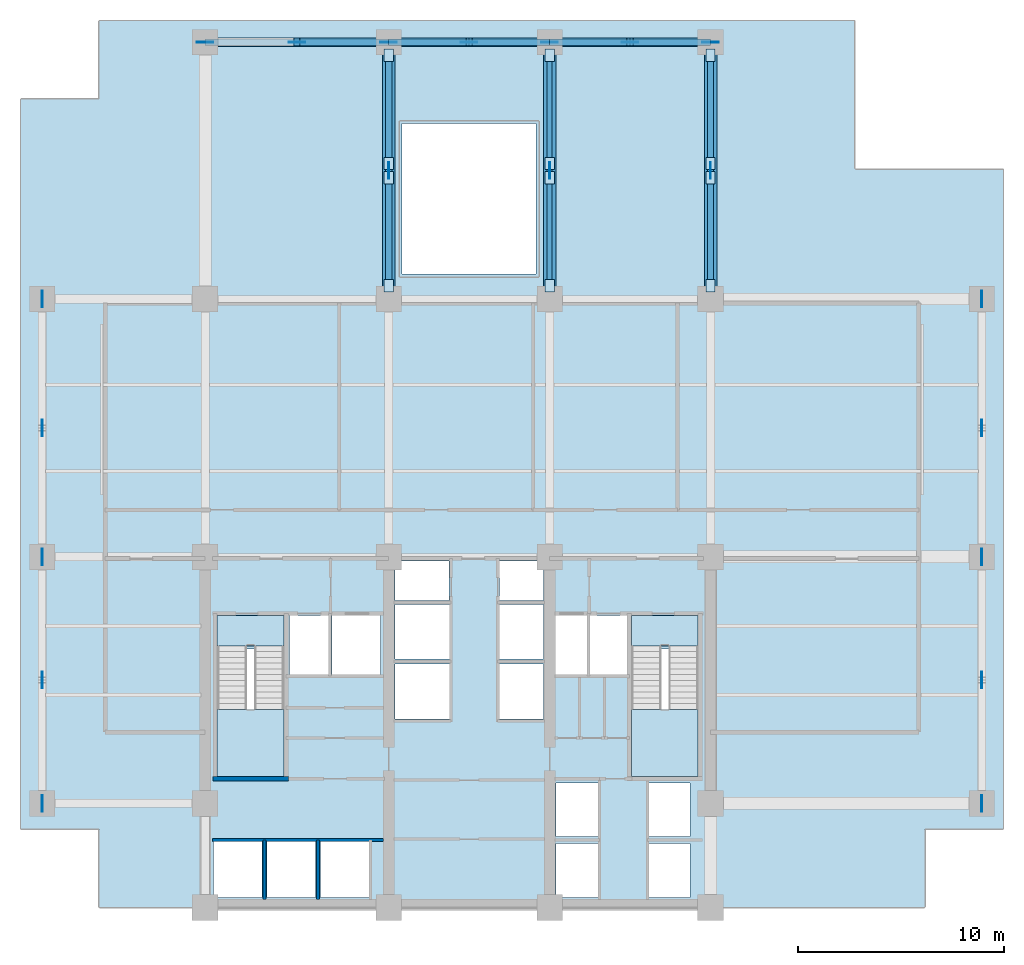
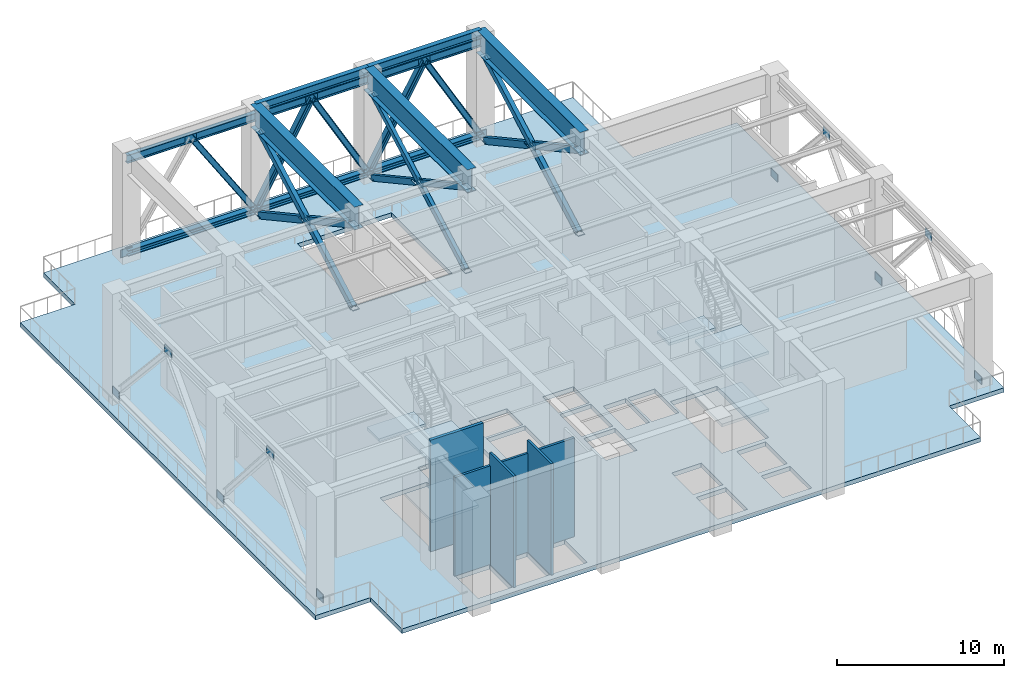
# One storey, part 2 of 7: 38 plates, 20 members, 7 slabs, 5 beams, 4 walls, 2 elements without a shape of their own.
"""IFC4 building model written with IfcOpenShell, lengths in metres."""

from ifc_helpers import new_model, si_unit, direction, frame, frame_2d, origin, origin_2d, place, context, subcontext, project, spatial, polyline, rectangle, hollow_rectangle, i_section, outline, extrude, material, layer, layer_set, material_profile, profile_set, type_object, element, aggregate, save


model = new_model("IFC4")

# Units and contexts
model_context = context("Model", 3, precision=1e-05, world=origin(), true_north=direction((0.0, 1.0)))
body_context = subcontext(model_context, "Body", "Model", "MODEL_VIEW")
ifc_project = project(units=[si_unit("LENGTHUNIT", "METRE"), si_unit("AREAUNIT", "SQUARE_METRE"), si_unit("VOLUMEUNIT", "CUBIC_METRE"), si_unit("PLANEANGLEUNIT", "RADIAN"), si_unit("MASSUNIT", "GRAM", prefix="KILO")], contexts=[model_context])

# Site, building, storey
site_placement = place(None, origin())
site = spatial("IfcSite", under=ifc_project, at=site_placement, CompositionType="ELEMENT")
building_placement = place(site_placement, origin())
building = spatial("IfcBuilding", under=site, at=building_placement, Name="Qalmaran Belvedere Hotel", CompositionType="ELEMENT")
storey_placement = place(building_placement, frame((0.0, 0.0, 130.199951171875)))
storey = spatial("IfcBuildingStorey", under=building, at=storey_placement, Name="L33", CompositionType="ELEMENT", Elevation=130.199951171875)

# Beams
ifc_material_1 = material(Name="Steel S355JR", Category="steel")
ifc_material_profile_1 = material_profile(ifc_material_1, i_section(OverallWidth=0.326904296875, OverallDepth=0.6220703125, WebThickness=0.015380859375, FlangeThickness=0.0244140625, FilletRadius=0.02001953125, at=origin_2d()), Name="W610X195")
ifc_profile_set_1 = profile_set([ifc_material_profile_1], Name="Steel S355JR")
beam_type_1 = type_object("IfcBeamType", Name="BM-SP1-W610X195", PredefinedType="SPANDREL", material=ifc_profile_set_1)
for number, where, z_axis, x_axis, name in (
    (1, (29.199951171875, 45.449951171875, 7.839111328125), (1.0, 0.0, 0.0), (0.0, 1.0, 0.0), "L33 Perimeter Spandrel 06"),
    (2, (37.0, 45.449951171875, 7.839111328125), (1.0, 0.0, 0.0), (0.0, 1.0, 0.0), "L33 Perimeter Spandrel 07"),
):
    element("IfcBeam", number, at=place(storey_placement, frame(where, z_axis=z_axis, x_axis=x_axis)), inside=storey, type_object=beam_type_1, Name=name, PredefinedType="SPANDREL", context=body_context, shape_type="SweptSolid", body=[
        extrude(i_section(OverallWidth=0.326904296875, OverallDepth=0.6220703125, WebThickness=0.015380859375, FlangeThickness=0.0244140625, FilletRadius=0.02001953125, at=origin_2d()), origin(), (0.0, 0.0, 1.0), 7.800048828125),
    ])
ifc_material_profile_2 = material_profile(ifc_material_1, i_section(OverallWidth=0.60009765625, OverallDepth=1.679931640625, WebThickness=0.02587890625, FlangeThickness=0.035888671875, at=origin_2d()), Name="PG1680X600X36")
ifc_profile_set_2 = profile_set([ifc_material_profile_2], Name="Steel S355JR")
beam_type_2 = type_object("IfcBeamType", Name="BM-TG5-PG1680X600", PredefinedType="USERDEFINED", material=ifc_profile_set_2)
for number, where, z_axis, x_axis, name in (
    (3, (29.199951171875, 33.0, 7.31005859375), (0.0, 1.0, 0.0), (-1.0, 0.0, 0.0), "L33 North Bay Setback Transfer Girder 17"),
    (4, (37.0, 33.0, 7.31005859375), (0.0, 1.0, 0.0), (-1.0, 0.0, 0.0), "L33 North Bay Setback Transfer Girder 19"),
    (5, (44.800048828125, 33.0, 7.31005859375), (0.0, 1.0, 0.0), (-1.0, 0.0, 0.0), "L33 North Bay Setback Transfer Girder 21"),
):
    element("IfcBeam", number, at=place(storey_placement, frame(where, z_axis=z_axis, x_axis=x_axis)), inside=storey, type_object=beam_type_2, Name=name, ObjectType="GIRDER", PredefinedType="USERDEFINED", context=body_context, shape_type="SweptSolid", body=[
        extrude(i_section(OverallWidth=0.60009765625, OverallDepth=1.679931640625, WebThickness=0.02587890625, FlangeThickness=0.035888671875, at=origin_2d()), origin(), (0.0, 0.0, 1.0), 12.449951171875),
    ])

# Members
ifc_material_profile_3 = material_profile(ifc_material_1, i_section(OverallWidth=0.39501953125, OverallDepth=0.3798828125, WebThickness=0.018798828125, FlangeThickness=0.0302734375, FilletRadius=0.014892578125, at=origin_2d()), Name="HD400X237")
ifc_profile_set_3 = profile_set([ifc_material_profile_3], Name="Steel S355JR")
member_type_1 = type_object("IfcMemberType", Name="MEM-BR2-HD400X237", PredefinedType="BRACE", material=ifc_profile_set_3)
member_1_placement = place(storey_placement, frame((29.199951171875, 45.449951171875, 0.35009765625), z_axis=(-0.544777170472, 0.0, 0.838580845555), x_axis=(0.0, -1.0, 0.0)))
element("IfcMember", 6, at=member_1_placement, inside=storey, type_object=member_type_1, Name="L33 Belt Truss Diagonal 05B", PredefinedType="BRACE", context=body_context, shape_type="SweptSolid", body=[
    extrude(i_section(OverallWidth=0.39501953125, OverallDepth=0.3798828125, WebThickness=0.018798828125, FlangeThickness=0.0302734375, FilletRadius=0.014892578125, at=origin_2d()), origin(), (0.0, 0.0, 1.0), 8.16845703125),
])
for number, where, z_axis, x_axis, name in (
    (7, (29.199951171875, 45.449951171875, 0.35009765625), (0.494794114346, 0.0, 0.869010232626), (0.0, 1.0, 0.0), "L33 Belt Truss Diagonal 06A"),
    (8, (37.0, 45.449951171875, 0.35009765625), (-0.494770723635, 0.0, 0.869023550333), (0.0, -1.0, 0.0), "L33 Belt Truss Diagonal 06B"),
    (9, (37.0, 45.449951171875, 0.35009765625), (0.494770723635, 0.0, 0.869023550333), (0.0, 1.0, 0.0), "L33 Belt Truss Diagonal 07A"),
    (10, (44.800048828125, 45.449951171875, 0.35009765625), (-0.494794114346, 0.0, 0.869010232626), (0.0, -1.0, 0.0), "L33 Belt Truss Diagonal 07B"),
):
    element("IfcMember", number, at=place(storey_placement, frame(where, z_axis=z_axis, x_axis=x_axis)), inside=storey, type_object=member_type_1, Name=name, PredefinedType="BRACE", context=body_context, shape_type="SweptSolid", body=[
        extrude(i_section(OverallWidth=0.39501953125, OverallDepth=0.3798828125, WebThickness=0.018798828125, FlangeThickness=0.0302734375, FilletRadius=0.014892578125, at=origin_2d()), origin(), (0.0, 0.0, 1.0), 7.88232421875),
    ])
ifc_material_profile_4 = material_profile(ifc_material_1, hollow_rectangle(XDim=0.300048828125, YDim=0.449951171875, WallThickness=0.02001953125, at=origin_2d()), Name="RHS450X300X20")
ifc_profile_set_4 = profile_set([ifc_material_profile_4], Name="Steel S355JR")
member_type_2 = type_object("IfcMemberType", Name="MEM-BR4-RHS450", PredefinedType="BRACE", material=ifc_profile_set_4)
member_2_placement = place(storey_placement, frame((29.199951171875, 33.639892578125, 0.35009765625), z_axis=(0.0, 0.877663078634, 0.479278124269), x_axis=(-1.0, 0.0, 0.0)))
element("IfcMember", 11, at=member_2_placement, inside=storey, type_object=member_type_2, Name="L33 Wind-Slot Portal Outrigger Brace W1", PredefinedType="BRACE", context=body_context, shape_type="SweptSolid", body=[
    extrude(hollow_rectangle(XDim=0.300048828125, YDim=0.449951171875, WallThickness=0.02001953125, at=origin_2d()), origin(), (0.0, 0.0, 1.0), 12.72705078125),
])
member_3_placement = place(storey_placement, frame((29.199951171875, 44.81005859375, 0.35009765625), z_axis=(0.0, -0.877656487391, 0.479290194078), x_axis=(1.0, 0.0, 0.0)))
element("IfcMember", 12, at=member_3_placement, inside=storey, type_object=member_type_2, Name="L33 Wind-Slot Portal Outrigger Split Brace W2A", PredefinedType="BRACE", context=body_context, shape_type="SweptSolid", body=[
    extrude(hollow_rectangle(XDim=0.300048828125, YDim=0.449951171875, WallThickness=0.02001953125, at=origin_2d()), origin(), (0.0, 0.0, 1.0), 5.973388671875),
])
member_4_placement = place(storey_placement, frame((29.199951171875, 38.8828125, 3.5869140625), z_axis=(0.0, -0.877665875656, 0.479273002273), x_axis=(1.0, 0.0, 0.0)))
element("IfcMember", 13, at=member_4_placement, inside=storey, type_object=member_type_2, Name="L33 Wind-Slot Portal Outrigger Split Brace W2B", PredefinedType="BRACE", context=body_context, shape_type="SweptSolid", body=[
    extrude(hollow_rectangle(XDim=0.300048828125, YDim=0.449951171875, WallThickness=0.02001953125, at=origin_2d()), origin(), (0.0, 0.0, 1.0), 5.9736328125),
])
member_5_placement = place(storey_placement, frame((44.800048828125, 33.639892578125, 0.35009765625), z_axis=(0.0, 0.877663078634, 0.479278124269), x_axis=(-1.0, 0.0, 0.0)))
element("IfcMember", 14, at=member_5_placement, inside=storey, type_object=member_type_2, Name="L33 Wind-Slot Portal Outrigger Brace E1", PredefinedType="BRACE", context=body_context, shape_type="SweptSolid", body=[
    extrude(hollow_rectangle(XDim=0.300048828125, YDim=0.449951171875, WallThickness=0.02001953125, at=origin_2d()), origin(), (0.0, 0.0, 1.0), 12.72705078125),
])
member_6_placement = place(storey_placement, frame((44.800048828125, 44.81005859375, 0.35009765625), z_axis=(0.0, -0.877656487391, 0.479290194078), x_axis=(1.0, 0.0, 0.0)))
element("IfcMember", 15, at=member_6_placement, inside=storey, type_object=member_type_2, Name="L33 Wind-Slot Portal Outrigger Split Brace E2A", PredefinedType="BRACE", context=body_context, shape_type="SweptSolid", body=[
    extrude(hollow_rectangle(XDim=0.300048828125, YDim=0.449951171875, WallThickness=0.02001953125, at=origin_2d()), origin(), (0.0, 0.0, 1.0), 5.973388671875),
])
member_7_placement = place(storey_placement, frame((44.800048828125, 38.8828125, 3.5869140625), z_axis=(0.0, -0.877665875656, 0.479273002273), x_axis=(1.0, 0.0, 0.0)))
element("IfcMember", 16, at=member_7_placement, inside=storey, type_object=member_type_2, Name="L33 Wind-Slot Portal Outrigger Split Brace E2B", PredefinedType="BRACE", context=body_context, shape_type="SweptSolid", body=[
    extrude(hollow_rectangle(XDim=0.300048828125, YDim=0.449951171875, WallThickness=0.02001953125, at=origin_2d()), origin(), (0.0, 0.0, 1.0), 5.9736328125),
])
ifc_material_profile_5 = material_profile(ifc_material_1, hollow_rectangle(XDim=0.25, YDim=0.39990234375, WallThickness=0.01611328125, at=origin_2d()), Name="RHS400X250X16")
ifc_profile_set_5 = profile_set([ifc_material_profile_5], Name="Steel S355JR")
member_type_3 = type_object("IfcMemberType", Name="MEM-BR5-RHS400", PredefinedType="BRACE", material=ifc_profile_set_5)
member_8_placement = place(storey_placement, frame((37.0, 33.639892578125, 0.35009765625), z_axis=(0.0, 0.877663078634, 0.479278124269), x_axis=(-1.0, 0.0, 0.0)))
element("IfcMember", 17, at=member_8_placement, inside=storey, type_object=member_type_3, Name="L33 Wind-Slot Portal Outrigger Brace M1", PredefinedType="BRACE", context=body_context, shape_type="SweptSolid", body=[
    extrude(hollow_rectangle(XDim=0.25, YDim=0.39990234375, WallThickness=0.01611328125, at=origin_2d()), origin(), (0.0, 0.0, 1.0), 12.72705078125),
])
member_9_placement = place(storey_placement, frame((37.0, 44.81005859375, 0.35009765625), z_axis=(0.0, -0.877656487391, 0.479290194078), x_axis=(1.0, 0.0, 0.0)))
element("IfcMember", 18, at=member_9_placement, inside=storey, type_object=member_type_3, Name="L33 Wind-Slot Portal Outrigger Split Brace M2A", PredefinedType="BRACE", context=body_context, shape_type="SweptSolid", body=[
    extrude(hollow_rectangle(XDim=0.25, YDim=0.39990234375, WallThickness=0.01611328125, at=origin_2d()), origin(), (0.0, 0.0, 1.0), 5.973388671875),
])
member_10_placement = place(storey_placement, frame((37.0, 38.8828125, 3.5869140625), z_axis=(0.0, -0.877665875656, 0.479273002273), x_axis=(1.0, 0.0, 0.0)))
element("IfcMember", 19, at=member_10_placement, inside=storey, type_object=member_type_3, Name="L33 Wind-Slot Portal Outrigger Split Brace M2B", PredefinedType="BRACE", context=body_context, shape_type="SweptSolid", body=[
    extrude(hollow_rectangle(XDim=0.25, YDim=0.39990234375, WallThickness=0.01611328125, at=origin_2d()), origin(), (0.0, 0.0, 1.0), 5.9736328125),
])
ifc_material_profile_6 = material_profile(ifc_material_1, i_section(OverallWidth=0.40087890625, OverallDepth=0.39892578125, WebThickness=0.02490234375, FlangeThickness=0.03955078125, FilletRadius=0.014892578125, at=origin_2d()), Name="HD400X314")
ifc_profile_set_6 = profile_set([ifc_material_profile_6], Name="Steel S355JR")
member_type_4 = type_object("IfcMemberType", Name="MEM-CH1-HD400X314", PredefinedType="CHORD", material=ifc_profile_set_6)
member_11_placement = place(storey_placement, frame((20.300048828125, 45.449951171875, 0.35009765625), z_axis=(1.0, 0.0, 0.0), x_axis=(0.0, 1.0, 0.0)))
element("IfcMember", 20, at=member_11_placement, inside=storey, type_object=member_type_4, Name="L33 Belt Truss Bottom Chord 05", PredefinedType="CHORD", context=body_context, shape_type="SweptSolid", body=[
    extrude(i_section(OverallWidth=0.40087890625, OverallDepth=0.39892578125, WebThickness=0.02490234375, FlangeThickness=0.03955078125, FilletRadius=0.014892578125, at=origin_2d()), origin(), (0.0, 0.0, 1.0), 8.89990234375),
])
for number, where, z_axis, x_axis, name in (
    (21, (29.199951171875, 45.449951171875, 0.35009765625), (1.0, 0.0, 0.0), (0.0, 1.0, 0.0), "L33 Belt Truss Bottom Chord 06"),
    (22, (37.0, 45.449951171875, 0.35009765625), (1.0, 0.0, 0.0), (0.0, 1.0, 0.0), "L33 Belt Truss Bottom Chord 07"),
):
    element("IfcMember", number, at=place(storey_placement, frame(where, z_axis=z_axis, x_axis=x_axis)), inside=storey, type_object=member_type_4, Name=name, PredefinedType="CHORD", context=body_context, shape_type="SweptSolid", body=[
        extrude(i_section(OverallWidth=0.40087890625, OverallDepth=0.39892578125, WebThickness=0.02490234375, FlangeThickness=0.03955078125, FilletRadius=0.014892578125, at=origin_2d()), origin(), (0.0, 0.0, 1.0), 7.800048828125),
    ])
ifc_material_profile_7 = material_profile(ifc_material_1, i_section(OverallWidth=0.300048828125, OverallDepth=0.60009765625, WebThickness=0.015380859375, FlangeThickness=0.028076171875, FilletRadius=0.027099609375, at=origin_2d()), Name="HEB600")
ifc_profile_set_7 = profile_set([ifc_material_profile_7], Name="Steel S355JR")
member_type_5 = type_object("IfcMemberType", Name="MEM-CH2-HEB600", PredefinedType="CHORD", material=ifc_profile_set_7)
member_12_placement = place(storey_placement, frame((20.300048828125, 45.449951171875, 7.199951171875), z_axis=(1.0, 0.0, 0.0), x_axis=(0.0, 1.0, 0.0)))
element("IfcMember", 23, at=member_12_placement, inside=storey, type_object=member_type_5, Name="L33 Belt Truss Top Chord 05", PredefinedType="CHORD", context=body_context, shape_type="SweptSolid", body=[
    extrude(i_section(OverallWidth=0.300048828125, OverallDepth=0.60009765625, WebThickness=0.015380859375, FlangeThickness=0.028076171875, FilletRadius=0.027099609375, at=origin_2d()), origin(), (0.0, 0.0, 1.0), 8.89990234375),
])
for number, where, z_axis, x_axis, name in (
    (24, (29.199951171875, 45.449951171875, 7.199951171875), (1.0, 0.0, 0.0), (0.0, 1.0, 0.0), "L33 Belt Truss Top Chord 06"),
    (25, (37.0, 45.449951171875, 7.199951171875), (1.0, 0.0, 0.0), (0.0, 1.0, 0.0), "L33 Belt Truss Top Chord 07"),
):
    element("IfcMember", number, at=place(storey_placement, frame(where, z_axis=z_axis, x_axis=x_axis)), inside=storey, type_object=member_type_5, Name=name, PredefinedType="CHORD", context=body_context, shape_type="SweptSolid", body=[
        extrude(i_section(OverallWidth=0.300048828125, OverallDepth=0.60009765625, WebThickness=0.015380859375, FlangeThickness=0.028076171875, FilletRadius=0.027099609375, at=origin_2d()), origin(), (0.0, 0.0, 1.0), 7.800048828125),
    ])

# Plates
ifc_layer_1 = layer(ifc_material_1, 0.030029296875, Name="Steel S355JR")
ifc_layer_set_1 = layer_set([ifc_layer_1], Name="Steel S355JR")
plate_type_1 = type_object("IfcPlateType", Name="PLT-CAP1-600X450X30", PredefinedType="SHEET", material=ifc_layer_set_1)
for number, where, z_axis, x_axis, name in (
    (26, (29.199951171875, 33.639892578125, 0.3349609375), (0.0, 0.0, 1.0), (0.0, 1.0, 0.0), "L33 Hollow End Cap Plate 0031A"),
    (27, (29.199951171875, 44.81005859375, 6.43505859375), (0.0, 0.0, 1.0), (0.0, 1.0, 0.0), "L33 Hollow End Cap Plate 0032B"),
    (28, (29.199951171875, 44.81005859375, 0.3349609375), (0.0, 0.0, 1.0), (0.0, -1.0, 0.0), "L33 Hollow End Cap Plate 0033A"),
    (29, (29.199951171875, 39.5673828125, 3.1982421875), (0.0, 0.0, 1.0), (0.0, -1.0, 0.0), "L33 Hollow End Cap Plate 0034B"),
    (30, (29.199951171875, 38.8828125, 3.57177734375), (0.0, 0.0, 1.0), (0.0, -1.0, 0.0), "L33 Hollow End Cap Plate 0035A"),
    (31, (29.199951171875, 33.639892578125, 6.43505859375), (0.0, 0.0, 1.0), (0.0, -1.0, 0.0), "L33 Hollow End Cap Plate 0036B"),
    (32, (37.0, 33.639892578125, 0.3349609375), (0.0, 0.0, 1.0), (0.0, 1.0, 0.0), "L33 Hollow End Cap Plate 0037A"),
    (33, (37.0, 44.81005859375, 6.43505859375), (0.0, 0.0, 1.0), (0.0, 1.0, 0.0), "L33 Hollow End Cap Plate 0038B"),
    (34, (37.0, 44.81005859375, 0.3349609375), (0.0, 0.0, 1.0), (0.0, -1.0, 0.0), "L33 Hollow End Cap Plate 0039A"),
    (35, (37.0, 39.5673828125, 3.1982421875), (0.0, 0.0, 1.0), (0.0, -1.0, 0.0), "L33 Hollow End Cap Plate 0040B"),
    (36, (37.0, 38.8828125, 3.57177734375), (0.0, 0.0, 1.0), (0.0, -1.0, 0.0), "L33 Hollow End Cap Plate 0041A"),
    (37, (37.0, 33.639892578125, 6.43505859375), (0.0, 0.0, 1.0), (0.0, -1.0, 0.0), "L33 Hollow End Cap Plate 0042B"),
    (38, (44.800048828125, 33.639892578125, 0.3349609375), (0.0, 0.0, 1.0), (0.0, 1.0, 0.0), "L33 Hollow End Cap Plate 0043A"),
    (39, (44.800048828125, 44.81005859375, 6.43505859375), (0.0, 0.0, 1.0), (0.0, 1.0, 0.0), "L33 Hollow End Cap Plate 0044B"),
    (40, (44.800048828125, 44.81005859375, 0.3349609375), (0.0, 0.0, 1.0), (0.0, -1.0, 0.0), "L33 Hollow End Cap Plate 0045A"),
    (41, (44.800048828125, 39.5673828125, 3.1982421875), (0.0, 0.0, 1.0), (0.0, -1.0, 0.0), "L33 Hollow End Cap Plate 0046B"),
    (42, (44.800048828125, 38.8828125, 3.57177734375), (0.0, 0.0, 1.0), (0.0, -1.0, 0.0), "L33 Hollow End Cap Plate 0047A"),
    (43, (44.800048828125, 33.639892578125, 6.43505859375), (0.0, 0.0, 1.0), (0.0, -1.0, 0.0), "L33 Hollow End Cap Plate 0048B"),
):
    element("IfcPlate", number, at=place(storey_placement, frame(where, z_axis=z_axis, x_axis=x_axis)), inside=storey, type_object=plate_type_1, Name=name, PredefinedType="SHEET", context=body_context, shape_type="SweptSolid", body=[
        extrude(rectangle(XDim=0.60009765625, YDim=0.449951171875, at=origin_2d()), origin(), (0.0, 0.0, 1.0), 0.030029296875),
    ])
ifc_layer_2 = layer(ifc_material_1, 0.034912109375, Name="Steel S355JR")
ifc_layer_set_2 = layer_set([ifc_layer_2], Name="Steel S355JR")
plate_type_2 = type_object("IfcPlateType", Name="PLT-GUS1-800X550X35", PredefinedType="SHEET", material=ifc_layer_set_2)
for number, where, z_axis, x_axis, name in (
    (44, (12.39990234375, 14.52490234375, 6.9248046875), (0.0, 0.0, 1.0), (0.0, 1.0, 0.0), "L33 Belt Truss Apex Gusset Plate 01"),
    (45, (12.39990234375, 8.550048828125, 0.0751953125), (0.0, 0.0, 1.0), (0.0, 1.0, 0.0), "L33 Belt Truss Base Gusset Plate 01"),
    (46, (12.39990234375, 20.5, 0.0751953125), (0.0, 0.0, 1.0), (0.0, 1.0, 0.0), "L33 Belt Truss Base Gusset Plate 02"),
    (47, (12.39990234375, 26.75, 6.9248046875), (0.0, 0.0, 1.0), (0.0, 1.0, 0.0), "L33 Belt Truss Apex Gusset Plate 02"),
    (48, (12.39990234375, 33.0, 0.0751953125), (0.0, 0.0, 1.0), (0.0, 1.0, 0.0), "L33 Belt Truss Base Gusset Plate 03"),
    (49, (57.949951171875, 14.52490234375, 6.9248046875), (0.0, 0.0, 1.0), (0.0, 1.0, 0.0), "L33 Belt Truss Apex Gusset Plate 03"),
    (50, (57.949951171875, 8.550048828125, 0.0751953125), (0.0, 0.0, 1.0), (0.0, 1.0, 0.0), "L33 Belt Truss Base Gusset Plate 04"),
    (51, (57.949951171875, 20.5, 0.0751953125), (0.0, 0.0, 1.0), (0.0, 1.0, 0.0), "L33 Belt Truss Base Gusset Plate 05"),
    (52, (57.949951171875, 26.75, 6.9248046875), (0.0, 0.0, 1.0), (0.0, 1.0, 0.0), "L33 Belt Truss Apex Gusset Plate 04"),
    (53, (57.949951171875, 33.0, 0.0751953125), (0.0, 0.0, 1.0), (0.0, 1.0, 0.0), "L33 Belt Truss Base Gusset Plate 06"),
    (54, (24.75, 45.449951171875, 6.9248046875), (0.0, 0.0, 1.0), (1.0, 0.0, 0.0), "L33 Belt Truss Apex Gusset Plate 05"),
    (55, (20.300048828125, 45.449951171875, 0.0751953125), (0.0, 0.0, 1.0), (1.0, 0.0, 0.0), "L33 Belt Truss Base Gusset Plate 07"),
    (56, (29.199951171875, 45.449951171875, 0.0751953125), (0.0, 0.0, 1.0), (1.0, 0.0, 0.0), "L33 Belt Truss Base Gusset Plate 08"),
    (57, (33.10009765625, 45.449951171875, 6.9248046875), (0.0, 0.0, 1.0), (1.0, 0.0, 0.0), "L33 Belt Truss Apex Gusset Plate 06"),
    (58, (37.0, 45.449951171875, 0.0751953125), (0.0, 0.0, 1.0), (1.0, 0.0, 0.0), "L33 Belt Truss Base Gusset Plate 09"),
    (59, (40.89990234375, 45.449951171875, 6.9248046875), (0.0, 0.0, 1.0), (1.0, 0.0, 0.0), "L33 Belt Truss Apex Gusset Plate 07"),
    (60, (44.800048828125, 45.449951171875, 0.0751953125), (0.0, 0.0, 1.0), (1.0, 0.0, 0.0), "L33 Belt Truss Base Gusset Plate 10"),
    (61, (29.199951171875, 39.22509765625, 3.125), (0.0, 0.0, 1.0), (0.0, 1.0, 0.0), "L33 Outrigger X-Crossing Gusset Plate W"),
    (62, (37.0, 39.22509765625, 3.125), (0.0, 0.0, 1.0), (0.0, 1.0, 0.0), "L33 Outrigger X-Crossing Gusset Plate M"),
    (63, (44.800048828125, 39.22509765625, 3.125), (0.0, 0.0, 1.0), (0.0, 1.0, 0.0), "L33 Outrigger X-Crossing Gusset Plate E"),
):
    element("IfcPlate", number, at=place(storey_placement, frame(where, z_axis=z_axis, x_axis=x_axis)), inside=storey, type_object=plate_type_2, Name=name, PredefinedType="SHEET", context=body_context, shape_type="SweptSolid", body=[
        extrude(rectangle(XDim=0.800048828125, YDim=0.034912109375, at=origin_2d()), origin(), (0.0, 0.0, 1.0), 0.550048828125),
    ])

# Slab
ifc_material_2 = material(Name="Concrete C40/50", Category="concrete")
ifc_layer_3 = layer(ifc_material_2, 0.320068359375, Name="Concrete C40/50")
ifc_layer_set_3 = layer_set([ifc_layer_3], Name="Concrete C40/50")
slab_type_1 = type_object("IfcSlabType", Name="SLB-PRT-320", PredefinedType="FLOOR", material=ifc_layer_set_3)
slab_1_placement = place(storey_placement, frame((0.0, 0.0, -0.320068359375)))
element("IfcSlab", 64, at=slab_1_placement, inside=storey, type_object=slab_type_1, Name="L33 Structural Floor Slab", PredefinedType="FLOOR", context=body_context, shape_type="SweptSolid", body=[
    extrude(outline(polyline([(15.14990234375, 3.5), (55.199951171875, 3.5), (55.199951171875, 7.300048828125), (59.0, 7.300048828125), (59.0, 39.300048828125), (51.800048828125, 39.300048828125), (51.800048828125, 46.5), (15.14990234375, 46.5), (15.14990234375, 42.699951171875), (11.35009765625, 42.699951171875), (11.35009765625, 7.300048828125), (15.14990234375, 7.300048828125), (15.14990234375, 3.5)]), holes=[polyline([(20.8798828125, 9.85009765625), (24.1201171875, 9.85009765625), (24.1201171875, 16.0400390625), (20.8798828125, 16.0400390625), (20.8798828125, 9.85009765625)]), polyline([(40.9599609375, 9.85009765625), (44.199951171875, 9.85009765625), (44.199951171875, 16.0400390625), (40.9599609375, 16.0400390625), (40.9599609375, 9.85009765625)]), polyline([(29.4951171875, 12.64990234375), (32.14990234375, 12.64990234375), (32.14990234375, 15.300048828125), (29.4951171875, 15.300048828125), (29.4951171875, 12.64990234375)]), polyline([(29.4951171875, 15.550048828125), (32.14990234375, 15.550048828125), (32.14990234375, 18.199951171875), (29.4951171875, 18.199951171875), (29.4951171875, 15.550048828125)]), polyline([(34.550048828125, 12.64990234375), (36.705078125, 12.64990234375), (36.705078125, 15.300048828125), (34.550048828125, 15.300048828125), (34.550048828125, 12.64990234375)]), polyline([(34.550048828125, 15.550048828125), (36.705078125, 15.550048828125), (36.705078125, 18.199951171875), (34.550048828125, 18.199951171875), (34.550048828125, 15.550048828125)]), polyline([(37.300048828125, 4.0), (39.35009765625, 4.0), (39.35009765625, 6.60009765625), (37.300048828125, 6.60009765625), (37.300048828125, 4.0)]), polyline([(37.300048828125, 6.949951171875), (39.35009765625, 6.949951171875), (39.35009765625, 9.550048828125), (37.300048828125, 9.550048828125), (37.300048828125, 6.949951171875)]), polyline([(41.800048828125, 4.0), (43.800048828125, 4.0), (43.800048828125, 6.60009765625), (41.800048828125, 6.60009765625), (41.800048828125, 4.0)]), polyline([(41.800048828125, 6.949951171875), (43.800048828125, 6.949951171875), (43.800048828125, 9.550048828125), (41.800048828125, 9.550048828125), (41.800048828125, 6.949951171875)]), polyline([(20.699951171875, 4.0), (23.050048828125, 4.0), (23.050048828125, 6.699951171875), (20.699951171875, 6.699951171875), (20.699951171875, 4.0)]), polyline([(23.300048828125, 4.0), (25.64990234375, 4.0), (25.64990234375, 6.699951171875), (23.300048828125, 6.699951171875), (23.300048828125, 4.0)]), polyline([(25.89990234375, 4.0), (28.25, 4.0), (28.25, 6.699951171875), (25.89990234375, 6.699951171875), (25.89990234375, 4.0)]), polyline([(24.39990234375, 14.800048828125), (26.300048828125, 14.800048828125), (26.300048828125, 17.64990234375), (24.39990234375, 17.64990234375), (24.39990234375, 14.800048828125)]), polyline([(38.949951171875, 14.800048828125), (40.820068359375, 14.800048828125), (40.820068359375, 17.64990234375), (38.949951171875, 17.64990234375), (38.949951171875, 14.800048828125)]), polyline([(26.449951171875, 14.800048828125), (28.800048828125, 14.800048828125), (28.800048828125, 17.64990234375), (26.449951171875, 17.64990234375), (26.449951171875, 14.800048828125)]), polyline([(37.25, 14.800048828125), (38.800048828125, 14.800048828125), (38.800048828125, 17.64990234375), (37.25, 17.64990234375), (37.25, 14.800048828125)]), polyline([(29.4951171875, 18.3798828125), (32.1201171875, 18.3798828125), (32.1201171875, 20.300048828125), (29.4951171875, 20.300048828125), (29.4951171875, 18.3798828125)]), polyline([(34.580078125, 18.3798828125), (36.705078125, 18.3798828125), (36.705078125, 20.300048828125), (34.580078125, 20.300048828125), (34.580078125, 18.3798828125)]), polyline([(29.85009765625, 34.199951171875), (36.35009765625, 34.199951171875), (36.35009765625, 41.5), (29.85009765625, 41.5), (29.85009765625, 34.199951171875)])]), origin(), (0.0, 0.0, 1.0), 0.320068359375),
])

# Stair, slabs
stair_type_1 = type_object("IfcStairType", Name="STR-ST-1-1450-R1750", PredefinedType="HALF_TURN_STAIR", material=ifc_material_2)
stair_1_placement = place(storey_placement, origin())
stair_1 = element("IfcStair", 65, at=stair_1_placement, inside=storey, type_object=stair_type_1, Name="L33 West Core Exit Stair ST-1", PredefinedType="HALF_TURN_STAIR")
ifc_layer_4 = layer(ifc_material_2, 0.199951171875, Name="Concrete C40/50")
ifc_layer_set_4 = layer_set([ifc_layer_4], Name="Concrete C40/50")
slab_type_2 = type_object("IfcSlabType", Name="SLB-STAIR-LANDING-200", PredefinedType="LANDING", material=ifc_layer_set_4)
slab_2_placement = place(storey_placement, frame((0.0, 0.0, 1.900146484375)))
slab_2 = element("IfcSlab", 66, at=slab_2_placement, type_object=slab_type_2, Name="ST-1 landing 1", PredefinedType="LANDING", context=body_context, shape_type="SweptSolid", body=[
    extrude(outline(polyline([(20.8798828125, 13.110107421875), (20.8798828125, 9.85009765625), (24.1201171875, 9.85009765625), (24.1201171875, 13.110107421875), (20.8798828125, 13.110107421875)])), origin(), (0.0, 0.0, 1.0), 0.199951171875),
])
slab_3_placement = place(storey_placement, frame((0.0, 0.0, 4.0)))
slab_3 = element("IfcSlab", 67, at=slab_3_placement, type_object=slab_type_2, Name="ST-1 landing 2", PredefinedType="LANDING", context=body_context, shape_type="SweptSolid", body=[
    extrude(outline(polyline([(20.8798828125, 17.64990234375), (20.8798828125, 16.18994140625), (24.1201171875, 16.18994140625), (24.1201171875, 17.64990234375), (20.8798828125, 17.64990234375)])), origin(), (0.0, 0.0, 1.0), 0.199951171875),
])
slab_4_placement = place(storey_placement, frame((0.0, 0.0, 6.10009765625)))
slab_4 = element("IfcSlab", 68, at=slab_4_placement, type_object=slab_type_2, Name="ST-1 landing 3", PredefinedType="LANDING", context=body_context, shape_type="SweptSolid", body=[
    extrude(outline(polyline([(20.8798828125, 13.110107421875), (20.8798828125, 9.85009765625), (24.1201171875, 9.85009765625), (24.1201171875, 13.110107421875), (20.8798828125, 13.110107421875)])), origin(), (0.0, 0.0, 1.0), 0.199951171875),
])
aggregate(stair_1, [slab_2, slab_3, slab_4])

stair_type_2 = type_object("IfcStairType", Name="STR-ST-2-1450-R1750", PredefinedType="HALF_TURN_STAIR", material=ifc_material_2)
stair_2_placement = place(storey_placement, origin())
stair_2 = element("IfcStair", 69, at=stair_2_placement, inside=storey, type_object=stair_type_2, Name="L33 East Core Exit Stair ST-2", PredefinedType="HALF_TURN_STAIR")
slab_5_placement = place(storey_placement, frame((0.0, 0.0, 1.900146484375)))
slab_5 = element("IfcSlab", 70, at=slab_5_placement, type_object=slab_type_2, Name="ST-2 landing 1", PredefinedType="LANDING", context=body_context, shape_type="SweptSolid", body=[
    extrude(outline(polyline([(40.9599609375, 13.110107421875), (40.9599609375, 9.85009765625), (44.199951171875, 9.85009765625), (44.199951171875, 13.110107421875), (40.9599609375, 13.110107421875)])), origin(), (0.0, 0.0, 1.0), 0.199951171875),
])
slab_6_placement = place(storey_placement, frame((0.0, 0.0, 4.0)))
slab_6 = element("IfcSlab", 71, at=slab_6_placement, type_object=slab_type_2, Name="ST-2 landing 2", PredefinedType="LANDING", context=body_context, shape_type="SweptSolid", body=[
    extrude(outline(polyline([(40.9599609375, 17.64990234375), (40.9599609375, 16.18994140625), (44.199951171875, 16.18994140625), (44.199951171875, 17.64990234375), (40.9599609375, 17.64990234375)])), origin(), (0.0, 0.0, 1.0), 0.199951171875),
])
slab_7_placement = place(storey_placement, frame((0.0, 0.0, 6.10009765625)))
slab_7 = element("IfcSlab", 72, at=slab_7_placement, type_object=slab_type_2, Name="ST-2 landing 3", PredefinedType="LANDING", context=body_context, shape_type="SweptSolid", body=[
    extrude(outline(polyline([(40.9599609375, 13.110107421875), (40.9599609375, 9.85009765625), (44.199951171875, 9.85009765625), (44.199951171875, 13.110107421875), (40.9599609375, 13.110107421875)])), origin(), (0.0, 0.0, 1.0), 0.199951171875),
])
aggregate(stair_2, [slab_5, slab_6, slab_7])

# Walls
ifc_material_3 = material(Name="Gypsum Stud Partition")
ifc_layer_5 = layer(ifc_material_3, 0.14990234375, Name="Gypsum Stud Partition")
ifc_layer_set_5 = layer_set([ifc_layer_5], Name="Gypsum Stud Partition")
wall_type_1 = type_object("IfcWallType", Name="WL-INT-150-EI120", PredefinedType="PARTITIONING", material=ifc_layer_set_5)
for number, where, z_axis, x_axis, name in (
    (73, (23.179931640625, 3.89990234375, 0.0), (0.0, 0.0, 1.0), (0.0, 1.0, 0.0), "L33 Partition WL-POM1-L33"),
    (74, (25.780029296875, 3.89990234375, 0.0), (0.0, 0.0, 1.0), (0.0, 1.0, 0.0), "L33 Partition WL-POM2-L33"),
):
    element("IfcWall", number, at=place(storey_placement, frame(where, z_axis=z_axis, x_axis=x_axis)), inside=storey, type_object=wall_type_1, Name=name, PredefinedType="PARTITIONING", context=body_context, shape_type="SweptSolid", body=[
        extrude(rectangle(XDim=2.880126953125, YDim=0.14990234375, at=frame_2d((1.43994140625, 0.0))), origin(), (0.0, 0.0, 1.0), 8.150146484375),
    ])
ifc_layer_6 = layer(ifc_material_3, 0.159912109375, Name="Gypsum Stud Partition")
ifc_layer_set_6 = layer_set([ifc_layer_6], Name="Gypsum Stud Partition")
wall_type_2 = type_object("IfcWallType", Name="WL-INT-160-EI120", PredefinedType="PARTITIONING", material=ifc_layer_set_6)
wall_1_placement = place(storey_placement, frame((20.64990234375, 6.780029296875, 0.0), z_axis=(0.0, 0.0, 1.0), x_axis=(1.0, 0.0, 0.0)))
element("IfcWall", 75, at=wall_1_placement, inside=storey, type_object=wall_type_2, Name="L33 Partition WL-POS-L33", PredefinedType="PARTITIONING", context=body_context, shape_type="SweptSolid", body=[
    extrude(rectangle(XDim=8.300048828125, YDim=0.159912109375, at=frame_2d((4.14990234375, 0.0))), origin(), (0.0, 0.0, 1.0), 7.22314453125),
])
ifc_material_4 = material(Name="Concrete C50/60", Category="concrete")
ifc_layer_7 = layer(ifc_material_4, 0.2099609375, Name="Concrete C50/60")
ifc_layer_set_7 = layer_set([ifc_layer_7], Name="Concrete C50/60")
wall_type_3 = type_object("IfcWallType", Name="WL-STAIR-210-C50", PredefinedType="SHEAR", material=ifc_layer_set_7)
wall_2_placement = place(storey_placement, frame((20.669921875, 9.7451171875, 0.0), z_axis=(0.0, 0.0, 1.0), x_axis=(1.0, 0.0, 0.0)))
element("IfcWall", 76, at=wall_2_placement, inside=storey, type_object=wall_type_3, Name="L33 Stair ST-1 South Bearing Wall", PredefinedType="SHEAR", context=body_context, shape_type="SweptSolid", body=[
    extrude(rectangle(XDim=3.66015625, YDim=0.2099609375, at=frame_2d((1.830078125, 0.0))), origin(), (0.0, 0.0, 1.0), 8.150146484375),
])

save(model, "model.ifc")
